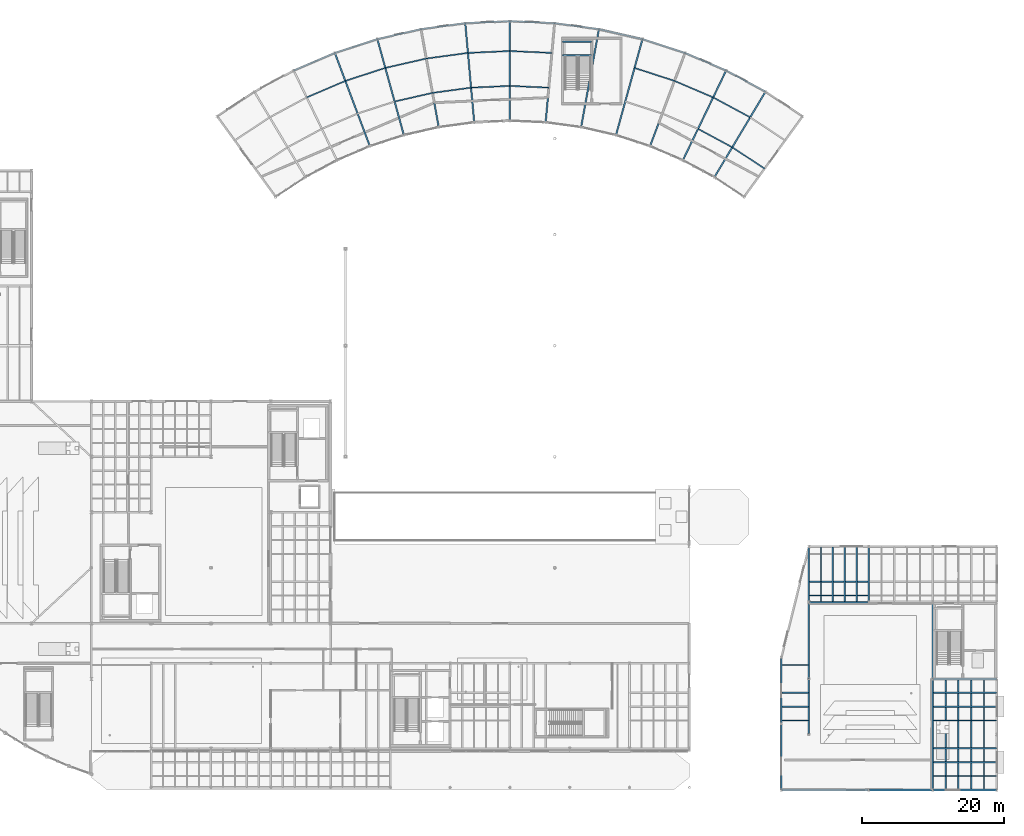
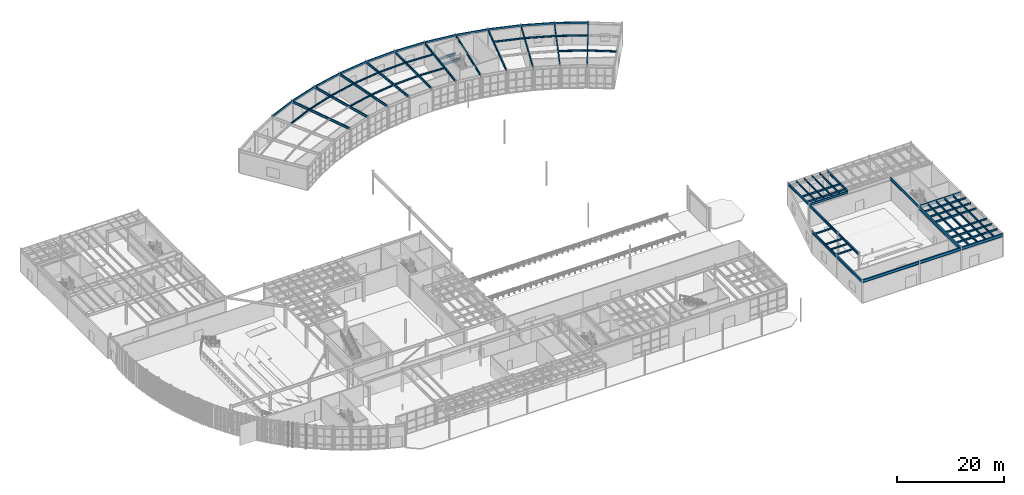
# One storey, part 52 of 87: 72 beams.
"""IFC4 building model written with IfcOpenShell, lengths in metres."""

from ifc_helpers import new_model, si_unit, direction, frame, origin, origin_2d, place, context, subcontext, project, spatial, hollow_rectangle, i_section, extrude, material, material_profile, profile_set, type_object, element, save


model = new_model("IFC4")

# Units and contexts
model_context = context("Model", 3, precision=1e-05, world=origin(), true_north=direction((0.0, 1.0)))
body_context = subcontext(model_context, "Body", "Model", "MODEL_VIEW")
ifc_project = project(units=[si_unit("LENGTHUNIT", "METRE"), si_unit("AREAUNIT", "SQUARE_METRE"), si_unit("VOLUMEUNIT", "CUBIC_METRE"), si_unit("PLANEANGLEUNIT", "RADIAN"), si_unit("MASSUNIT", "GRAM", prefix="KILO")], contexts=[model_context])

# Site, building, storey
site_placement = place(None, origin())
site = spatial("IfcSite", under=ifc_project, at=site_placement, CompositionType="ELEMENT")
building_placement = place(site_placement, origin())
building = spatial("IfcBuilding", under=site, at=building_placement, Name="Selat Folded Stagehouse", CompositionType="ELEMENT")
storey_placement = place(building_placement, origin())
storey = spatial("IfcBuildingStorey", under=building, at=storey_placement, Name="L00", CompositionType="ELEMENT", Elevation=0.0)

# Beams
ifc_material = material(Name="Steel S355", Category="steel")
ifc_material_profile_1 = material_profile(ifc_material, i_section(OverallWidth=0.210693359375, OverallDepth=0.53955078125, WebThickness=0.01171875, FlangeThickness=0.018798828125, FilletRadius=0.0126953125, at=origin_2d()), Name="UKB 533x210x109")
ifc_profile_set_1 = profile_set([ifc_material_profile_1], Name="Steel S355")
beam_type_1 = type_object("IfcBeamType", Name="BM-GIRD-533x210x109", PredefinedType="BEAM", material=ifc_profile_set_1)
beam_1_placement = place(storey_placement, frame((134.39990234375, 7.875, 4.91015625), z_axis=(0.0, 1.0, 0.0), x_axis=(-1.0, 0.0, 0.0)))
element("IfcBeam", 1, at=beam_1_placement, inside=storey, type_object=beam_type_1, Name="L00 primary y-girder 0587", PredefinedType="BEAM", context=body_context, shape_type="SweptSolid", body=[
    extrude(i_section(OverallWidth=0.210693359375, OverallDepth=0.53955078125, WebThickness=0.01171875, FlangeThickness=0.018798828125, FilletRadius=0.0126953125, at=origin_2d()), origin(), (0.0, 0.0, 1.0), 7.64990234375),
])
for number, where, z_axis, x_axis, name in (
    (2, (134.39990234375, 26.47998046875, 4.91015625), (0.0, 1.0, 0.0), (-1.0, 0.0, 0.0), "L00 primary y-girder 0589"),
    (3, (142.800048828125, 26.47998046875, 4.91015625), (0.0, 1.0, 0.0), (-1.0, 0.0, 0.0), "L00 primary y-girder 0590"),
):
    element("IfcBeam", number, at=place(storey_placement, frame(where, z_axis=z_axis, x_axis=x_axis)), inside=storey, type_object=beam_type_1, Name=name, PredefinedType="BEAM", context=body_context, shape_type="SweptSolid", body=[
        extrude(i_section(OverallWidth=0.210693359375, OverallDepth=0.53955078125, WebThickness=0.01171875, FlangeThickness=0.018798828125, FilletRadius=0.0126953125, at=origin_2d()), origin(), (0.0, 0.0, 1.0), 7.64013671875),
    ])
ifc_material_profile_2 = material_profile(ifc_material, i_section(OverallWidth=0.209228515625, OverallDepth=0.533203125, WebThickness=0.010009765625, FlangeThickness=0.015625, FilletRadius=0.0126953125, at=origin_2d()), Name="UKB 533x210x92")
ifc_profile_set_2 = profile_set([ifc_material_profile_2], Name="Steel S355")
beam_type_2 = type_object("IfcBeamType", Name="BM-GIRD-533x210x92", PredefinedType="BEAM", material=ifc_profile_set_2)
beam_2_placement = place(storey_placement, frame((134.47998046875, 26.39990234375, 4.91357421875), z_axis=(1.0, 0.0, 0.0), x_axis=(0.0, 1.0, 0.0)))
element("IfcBeam", 4, at=beam_2_placement, inside=storey, type_object=beam_type_2, Name="L00 primary x-girder 0526", PredefinedType="BEAM", context=body_context, shape_type="SweptSolid", body=[
    extrude(i_section(OverallWidth=0.209228515625, OverallDepth=0.533203125, WebThickness=0.010009765625, FlangeThickness=0.015625, FilletRadius=0.0126953125, at=origin_2d()), origin(), (0.0, 0.0, 1.0), 8.239990234375),
])
beam_3_placement = place(storey_placement, frame((72.722900390625, 90.42919921875, 4.91357421875), z_axis=(-0.35137378289, 0.936235261405, 0.0), x_axis=(-0.936235261405, -0.35137378289, 0.0)))
element("IfcBeam", 5, at=beam_3_placement, inside=storey, type_object=beam_type_2, Name="L00 curved rehearsal radial girder 4", PredefinedType="BEAM", context=body_context, shape_type="SweptSolid", body=[
    extrude(i_section(OverallWidth=0.209228515625, OverallDepth=0.533203125, WebThickness=0.010009765625, FlangeThickness=0.015625, FilletRadius=0.0126953125, at=origin_2d()), origin(), (0.0, 0.0, 1.0), 13.999755859375),
])
for number, where, z_axis, x_axis, name in (
    (6, (77.501953125, 91.98193359375, 4.91357421875), (-0.266045228685, 0.963960547063, 0.0), (-0.963960547063, -0.266045228685, 0.0), "L00 curved rehearsal radial girder 5"),
    (7, (82.40087890625, 93.10009765625, 4.91357421875), (-0.178572369459, 0.983926780236, 0.0), (-0.983926780236, -0.178572369459, 0.0), "L00 curved rehearsal radial girder 6"),
    (8, (87.380126953125, 93.774658203125, 4.91357421875), (-0.089634758742, 0.995974703507, 0.0), (-0.995974703507, -0.089634758742, 0.0), "L00 curved rehearsal radial girder 7"),
    (9, (92.39990234375, 94.0, 4.91357421875), (0.0, 1.0, 0.0), (-1.0, 0.0, 0.0), "L00 curved rehearsal radial girder 8"),
    (10, (97.419921875, 93.774658203125, 4.91357421875), (0.089634758742, 0.995974703507, 0.0), (-0.995974703507, 0.089634758742, 0.0), "L00 curved rehearsal radial girder 9"),
    (11, (102.399169921875, 93.10009765625, 4.91357421875), (0.178555486759, 0.983929844119, 0.0), (-0.983929844119, 0.178555486759, 0.0), "L00 curved rehearsal radial girder 10"),
    (12, (107.298095703125, 91.98193359375, 4.91357421875), (0.266045228685, 0.963960547063, 0.0), (-0.963960547063, 0.266045228685, 0.0), "L00 curved rehearsal radial girder 11"),
):
    element("IfcBeam", number, at=place(storey_placement, frame(where, z_axis=z_axis, x_axis=x_axis)), inside=storey, type_object=beam_type_2, Name=name, PredefinedType="BEAM", context=body_context, shape_type="SweptSolid", body=[
        extrude(i_section(OverallWidth=0.209228515625, OverallDepth=0.533203125, WebThickness=0.010009765625, FlangeThickness=0.015625, FilletRadius=0.0126953125, at=origin_2d()), origin(), (0.0, 0.0, 1.0), 14.0),
    ])
beam_4_placement = place(storey_placement, frame((112.076904296875, 90.42919921875, 4.91357421875), z_axis=(0.35137378289, 0.936235261405, 0.0), x_axis=(-0.936235261405, 0.35137378289, 0.0)))
element("IfcBeam", 13, at=beam_4_placement, inside=storey, type_object=beam_type_2, Name="L00 curved rehearsal radial girder 12", PredefinedType="BEAM", context=body_context, shape_type="SweptSolid", body=[
    extrude(i_section(OverallWidth=0.209228515625, OverallDepth=0.533203125, WebThickness=0.010009765625, FlangeThickness=0.015625, FilletRadius=0.0126953125, at=origin_2d()), origin(), (0.0, 0.0, 1.0), 13.999755859375),
])
for number, where, z_axis, x_axis, name in (
    (14, (116.697509765625, 88.454345703125, 4.91357421875), (0.433890071226, 0.900965818492, 0.0), (-0.900965818492, 0.433890071226, 0.0), "L00 curved rehearsal radial girder 13"),
    (15, (121.122314453125, 86.072998046875, 4.91357421875), (0.512902319154, 0.858446976234, 0.0), (-0.858446976234, 0.512902319154, 0.0), "L00 curved rehearsal radial girder 14"),
):
    element("IfcBeam", number, at=place(storey_placement, frame(where, z_axis=z_axis, x_axis=x_axis)), inside=storey, type_object=beam_type_2, Name=name, PredefinedType="BEAM", context=body_context, shape_type="SweptSolid", body=[
        extrude(i_section(OverallWidth=0.209228515625, OverallDepth=0.533203125, WebThickness=0.010009765625, FlangeThickness=0.015625, FilletRadius=0.0126953125, at=origin_2d()), origin(), (0.0, 0.0, 1.0), 14.0),
    ])
for number, where, z_axis, x_axis, name in (
    (16, (99.800048828125, 103.2099609375, 2.2333984375), (1.0, 0.0, 0.0), (0.0, 1.0, 0.0), "L00 ST-06 landing support beam 1"),
    (17, (99.800048828125, 105.080078125, 2.2333984375), (1.0, 0.0, 0.0), (0.0, 1.0, 0.0), "L00 ST-06 landing support beam 2"),
):
    element("IfcBeam", number, at=place(storey_placement, frame(where, z_axis=z_axis, x_axis=x_axis)), inside=storey, type_object=beam_type_2, Name=name, PredefinedType="BEAM", context=body_context, shape_type="SweptSolid", body=[
        extrude(i_section(OverallWidth=0.209228515625, OverallDepth=0.533203125, WebThickness=0.010009765625, FlangeThickness=0.015625, FilletRadius=0.0126953125, at=origin_2d()), origin(), (0.0, 0.0, 1.0), 4.079833984375),
    ])
ifc_material_profile_3 = material_profile(ifc_material, i_section(OverallWidth=0.230224609375, OverallDepth=0.6171875, WebThickness=0.01318359375, FlangeThickness=0.022216796875, FilletRadius=0.0126953125, at=origin_2d()), Name="UKB 610x229x140")
ifc_profile_set_3 = profile_set([ifc_material_profile_3], Name="Steel S355")
beam_type_3 = type_object("IfcBeamType", Name="BM-GIRD-610x229x140", PredefinedType="BEAM", material=ifc_profile_set_3)
beam_5_placement = place(storey_placement, frame((130.510009765625, 0.080078125, 4.871337890625), z_axis=(0.0, 1.0, 0.0), x_axis=(-1.0, 0.0, 0.0)))
element("IfcBeam", 18, at=beam_5_placement, inside=storey, type_object=beam_type_3, Name="L00 primary y-girder 0585", PredefinedType="BEAM", context=body_context, shape_type="SweptSolid", body=[
    extrude(i_section(OverallWidth=0.230224609375, OverallDepth=0.6171875, WebThickness=0.01318359375, FlangeThickness=0.022216796875, FilletRadius=0.0126953125, at=origin_2d()), origin(), (0.0, 0.0, 1.0), 9.139892578125),
])
beam_6_placement = place(storey_placement, frame((130.510009765625, 9.3798828125, 4.871337890625), z_axis=(0.0, 1.0, 0.0), x_axis=(-1.0, 0.0, 0.0)))
element("IfcBeam", 19, at=beam_6_placement, inside=storey, type_object=beam_type_3, Name="L00 primary y-girder 0586", PredefinedType="BEAM", context=body_context, shape_type="SweptSolid", body=[
    extrude(i_section(OverallWidth=0.230224609375, OverallDepth=0.6171875, WebThickness=0.01318359375, FlangeThickness=0.022216796875, FilletRadius=0.0126953125, at=origin_2d()), origin(), (0.0, 0.0, 1.0), 9.14013671875),
])
beam_7_placement = place(storey_placement, frame((134.39990234375, 15.675048828125, 4.871337890625), z_axis=(0.0, 1.0, 0.0), x_axis=(-1.0, 0.0, 0.0)))
element("IfcBeam", 20, at=beam_7_placement, inside=storey, type_object=beam_type_3, Name="L00 primary y-girder 0588", PredefinedType="BEAM", context=body_context, shape_type="SweptSolid", body=[
    extrude(i_section(OverallWidth=0.230224609375, OverallDepth=0.6171875, WebThickness=0.01318359375, FlangeThickness=0.022216796875, FilletRadius=0.0126953125, at=origin_2d()), origin(), (0.0, 0.0, 1.0), 10.64501953125),
])
beam_8_placement = place(storey_placement, frame((151.800048828125, 15.679931640625, 4.871337890625), z_axis=(0.0, 1.0, 0.0), x_axis=(-1.0, 0.0, 0.0)))
element("IfcBeam", 21, at=beam_8_placement, inside=storey, type_object=beam_type_3, Name="L00 primary y-girder 0592", PredefinedType="BEAM", context=body_context, shape_type="SweptSolid", body=[
    extrude(i_section(OverallWidth=0.230224609375, OverallDepth=0.6171875, WebThickness=0.01318359375, FlangeThickness=0.022216796875, FilletRadius=0.0126953125, at=origin_2d()), origin(), (0.0, 0.0, 1.0), 10.64013671875),
])
ifc_material_profile_4 = material_profile(ifc_material, i_section(OverallWidth=0.253662109375, OverallDepth=0.68359375, WebThickness=0.012451171875, FlangeThickness=0.01904296875, FilletRadius=0.01513671875, at=origin_2d()), Name="UKB 686x254x140")
ifc_profile_set_4 = profile_set([ifc_material_profile_4], Name="Steel S355")
beam_type_4 = type_object("IfcBeamType", Name="BM-GIRD-686x254x140", PredefinedType="BEAM", material=ifc_profile_set_4)
beam_9_placement = place(storey_placement, frame((130.590576171875, 0.0, 4.838134765625), z_axis=(1.0, 0.0, 0.0), x_axis=(0.0, 1.0, 0.0)))
element("IfcBeam", 22, at=beam_9_placement, inside=storey, type_object=beam_type_4, Name="L00 primary x-girder 0493", PredefinedType="BEAM", context=body_context, shape_type="SweptSolid", body=[
    extrude(i_section(OverallWidth=0.253662109375, OverallDepth=0.68359375, WebThickness=0.012451171875, FlangeThickness=0.01904296875, FilletRadius=0.01513671875, at=origin_2d()), origin(), (0.0, 0.0, 1.0), 12.12939453125),
])
for number, where, z_axis, x_axis, name in (
    (23, (142.8798828125, 0.0, 4.838134765625), (1.0, 0.0, 0.0), (0.0, 1.0, 0.0), "L00 primary x-girder 0494"),
    (24, (151.8798828125, 0.0, 4.838134765625), (1.0, 0.0, 0.0), (0.0, 1.0, 0.0), "L00 primary x-girder 0495"),
    (25, (151.8798828125, 15.60009765625, 4.838134765625), (1.0, 0.0, 0.0), (0.0, 1.0, 0.0), "L00 primary x-girder 0509"),
):
    element("IfcBeam", number, at=place(storey_placement, frame(where, z_axis=z_axis, x_axis=x_axis)), inside=storey, type_object=beam_type_4, Name=name, PredefinedType="BEAM", context=body_context, shape_type="SweptSolid", body=[
        extrude(i_section(OverallWidth=0.253662109375, OverallDepth=0.68359375, WebThickness=0.012451171875, FlangeThickness=0.01904296875, FilletRadius=0.01513671875, at=origin_2d()), origin(), (0.0, 0.0, 1.0), 8.840087890625),
    ])
ifc_material_profile_5 = material_profile(ifc_material, i_section(OverallWidth=0.26806640625, OverallDepth=0.769775390625, WebThickness=0.015625, FlangeThickness=0.025390625, FilletRadius=0.0166015625, at=origin_2d()), Name="UKB 762x267x197")
ifc_profile_set_5 = profile_set([ifc_material_profile_5], Name="Steel S355")
beam_type_5 = type_object("IfcBeamType", Name="BM-GIRD-762x267x197", PredefinedType="BEAM", material=ifc_profile_set_5)
beam_10_placement = place(storey_placement, frame((151.800048828125, 0.080078125, 4.795166015625), z_axis=(0.0, 1.0, 0.0), x_axis=(-1.0, 0.0, 0.0)))
element("IfcBeam", 26, at=beam_10_placement, inside=storey, type_object=beam_type_5, Name="L00 primary y-girder 0591", PredefinedType="BEAM", context=body_context, shape_type="SweptSolid", body=[
    extrude(i_section(OverallWidth=0.26806640625, OverallDepth=0.769775390625, WebThickness=0.015625, FlangeThickness=0.025390625, FilletRadius=0.0166015625, at=origin_2d()), origin(), (0.0, 0.0, 1.0), 15.43994140625),
])
ifc_material_profile_6 = material_profile(ifc_material, i_section(OverallWidth=0.17138671875, OverallDepth=0.35498046875, WebThickness=0.00732421875, FlangeThickness=0.011474609375, FilletRadius=0.01025390625, at=origin_2d()), Name="UKB 356x171x51")
ifc_profile_set_6 = profile_set([ifc_material_profile_6], Name="Steel S355")
beam_type_6 = type_object("IfcBeamType", Name="JST-356x171x51", PredefinedType="JOIST", material=ifc_profile_set_6)
for number, where, z_axis, x_axis, name in (
    (27, (136.080078125, 26.473388671875, 5.00244140625), (0.0, 1.0, 0.0), (-1.0, 0.0, 0.0), "L00 secondary floor joist 0683"),
    (28, (137.760009765625, 26.473388671875, 5.00244140625), (0.0, 1.0, 0.0), (-1.0, 0.0, 0.0), "L00 secondary floor joist 0684"),
    (29, (139.43994140625, 26.473388671875, 5.00244140625), (0.0, 1.0, 0.0), (-1.0, 0.0, 0.0), "L00 secondary floor joist 0685"),
):
    element("IfcBeam", number, at=place(storey_placement, frame(where, z_axis=z_axis, x_axis=x_axis)), inside=storey, type_object=beam_type_6, Name=name, PredefinedType="JOIST", context=body_context, shape_type="SweptSolid", body=[
        extrude(i_section(OverallWidth=0.17138671875, OverallDepth=0.35498046875, WebThickness=0.00732421875, FlangeThickness=0.011474609375, FilletRadius=0.01025390625, at=origin_2d()), origin(), (0.0, 0.0, 1.0), 7.6533203125),
    ])
for number, where, z_axis, x_axis, name in (
    (30, (130.590576171875, 9.75, 5.00244140625), (1.0, 0.0, 0.0), (0.0, 1.0, 0.0), "L00 secondary x-joist 0712"),
    (31, (130.590576171875, 11.699951171875, 5.00244140625), (1.0, 0.0, 0.0), (0.0, 1.0, 0.0), "L00 secondary x-joist 0716"),
    (32, (130.590576171875, 13.64990234375, 5.00244140625), (1.0, 0.0, 0.0), (0.0, 1.0, 0.0), "L00 secondary x-joist 0720"),
):
    element("IfcBeam", number, at=place(storey_placement, frame(where, z_axis=z_axis, x_axis=x_axis)), inside=storey, type_object=beam_type_6, Name=name, PredefinedType="JOIST", context=body_context, shape_type="SweptSolid", body=[
        extrude(i_section(OverallWidth=0.17138671875, OverallDepth=0.35498046875, WebThickness=0.00732421875, FlangeThickness=0.011474609375, FilletRadius=0.01025390625, at=origin_2d()), origin(), (0.0, 0.0, 1.0), 3.735595703125),
    ])
beam_11_placement = place(storey_placement, frame((130.590576171875, 17.550048828125, 5.00244140625), z_axis=(1.0, 0.0, 0.0), x_axis=(0.0, 1.0, 0.0)))
element("IfcBeam", 33, at=beam_11_placement, inside=storey, type_object=beam_type_6, Name="L00 secondary x-joist 0723", PredefinedType="JOIST", context=body_context, shape_type="SweptSolid", body=[
    extrude(i_section(OverallWidth=0.17138671875, OverallDepth=0.35498046875, WebThickness=0.00732421875, FlangeThickness=0.011474609375, FilletRadius=0.01025390625, at=origin_2d()), origin(), (0.0, 0.0, 1.0), 3.728759765625),
])
for number, where, z_axis, x_axis, name in (
    (34, (63.850341796875, 97.28369140625, 5.00244140625), (0.91952743413, 0.393025823429, 0.0), (-0.393025823429, 0.91952743413, 0.0), "L00 curved rehearsal secondary joist 3.2"),
    (35, (69.279541015625, 99.604248046875, 5.00244140625), (0.951058375783, 0.309011271401, 0.0), (-0.309011271401, 0.951058375783, 0.0), "L00 curved rehearsal secondary joist 4.2"),
):
    element("IfcBeam", number, at=place(storey_placement, frame(where, z_axis=z_axis, x_axis=x_axis)), inside=storey, type_object=beam_type_6, Name=name, PredefinedType="JOIST", context=body_context, shape_type="SweptSolid", body=[
        extrude(i_section(OverallWidth=0.17138671875, OverallDepth=0.35498046875, WebThickness=0.00732421875, FlangeThickness=0.011474609375, FilletRadius=0.01025390625, at=origin_2d()), origin(), (0.0, 0.0, 1.0), 5.904296875),
    ])
beam_12_placement = place(storey_placement, frame((76.1982421875, 96.705322265625, 5.00244140625), z_axis=(0.974925286492, 0.222532437541, 0.0), x_axis=(-0.222532437541, 0.974925286492, 0.0)))
element("IfcBeam", 36, at=beam_12_placement, inside=storey, type_object=beam_type_6, Name="L00 curved rehearsal secondary joist 5.1", PredefinedType="JOIST", context=body_context, shape_type="SweptSolid", body=[
    extrude(i_section(OverallWidth=0.17138671875, OverallDepth=0.35498046875, WebThickness=0.00732421875, FlangeThickness=0.011474609375, FilletRadius=0.01025390625, at=origin_2d()), origin(), (0.0, 0.0, 1.0), 5.464599609375),
])
beam_13_placement = place(storey_placement, frame((74.894775390625, 101.4287109375, 5.00244140625), z_axis=(0.974921599993, 0.222548587656, 0.0), x_axis=(-0.222548587656, 0.974921599993, 0.0)))
element("IfcBeam", 37, at=beam_13_placement, inside=storey, type_object=beam_type_6, Name="L00 curved rehearsal secondary joist 5.2", PredefinedType="JOIST", context=body_context, shape_type="SweptSolid", body=[
    extrude(i_section(OverallWidth=0.17138671875, OverallDepth=0.35498046875, WebThickness=0.00732421875, FlangeThickness=0.011474609375, FilletRadius=0.01025390625, at=origin_2d()), origin(), (0.0, 0.0, 1.0), 5.904052734375),
])
beam_14_placement = place(storey_placement, frame((81.52587890625, 97.92138671875, 5.00244140625), z_axis=(0.990952644722, 0.134211981278, 0.0), x_axis=(-0.134211981278, 0.990952644722, 0.0)))
element("IfcBeam", 38, at=beam_14_placement, inside=storey, type_object=beam_type_6, Name="L00 curved rehearsal secondary joist 6.1", PredefinedType="JOIST", context=body_context, shape_type="SweptSolid", body=[
    extrude(i_section(OverallWidth=0.17138671875, OverallDepth=0.35498046875, WebThickness=0.00732421875, FlangeThickness=0.011474609375, FilletRadius=0.01025390625, at=origin_2d()), origin(), (0.0, 0.0, 1.0), 5.464599609375),
])
beam_15_placement = place(storey_placement, frame((80.65087890625, 102.74267578125, 5.00244140625), z_axis=(0.990951300804, 0.13422190371, 0.0), x_axis=(-0.13422190371, 0.990951300804, 0.0)))
element("IfcBeam", 39, at=beam_15_placement, inside=storey, type_object=beam_type_6, Name="L00 curved rehearsal secondary joist 6.2", PredefinedType="JOIST", context=body_context, shape_type="SweptSolid", body=[
    extrude(i_section(OverallWidth=0.17138671875, OverallDepth=0.35498046875, WebThickness=0.00732421875, FlangeThickness=0.011474609375, FilletRadius=0.01025390625, at=origin_2d()), origin(), (0.0, 0.0, 1.0), 5.904296875),
])
beam_16_placement = place(storey_placement, frame((86.94091796875, 98.65478515625, 5.00244140625), z_axis=(0.998993444482, 0.044856414055, 0.0), x_axis=(-0.044856414055, 0.998993444482, 0.0)))
element("IfcBeam", 40, at=beam_16_placement, inside=storey, type_object=beam_type_6, Name="L00 curved rehearsal secondary joist 7.1", PredefinedType="JOIST", context=body_context, shape_type="SweptSolid", body=[
    extrude(i_section(OverallWidth=0.17138671875, OverallDepth=0.35498046875, WebThickness=0.00732421875, FlangeThickness=0.011474609375, FilletRadius=0.01025390625, at=origin_2d()), origin(), (0.0, 0.0, 1.0), 5.464599609375),
])
beam_17_placement = place(storey_placement, frame((86.501708984375, 103.53515625, 5.00244140625), z_axis=(0.998993033072, 0.044865575598, 0.0), x_axis=(-0.044865575598, 0.998993033072, 0.0)))
element("IfcBeam", 41, at=beam_17_placement, inside=storey, type_object=beam_type_6, Name="L00 curved rehearsal secondary joist 7.2", PredefinedType="JOIST", context=body_context, shape_type="SweptSolid", body=[
    extrude(i_section(OverallWidth=0.17138671875, OverallDepth=0.35498046875, WebThickness=0.00732421875, FlangeThickness=0.011474609375, FilletRadius=0.01025390625, at=origin_2d()), origin(), (0.0, 0.0, 1.0), 5.904052734375),
])
beam_18_placement = place(storey_placement, frame((92.39990234375, 98.89990234375, 5.00244140625), z_axis=(0.998993444482, -0.044856414055, 0.0), x_axis=(0.044856414055, 0.998993444482, 0.0)))
element("IfcBeam", 42, at=beam_18_placement, inside=storey, type_object=beam_type_6, Name="L00 curved rehearsal secondary joist 8.1", PredefinedType="JOIST", context=body_context, shape_type="SweptSolid", body=[
    extrude(i_section(OverallWidth=0.17138671875, OverallDepth=0.35498046875, WebThickness=0.00732421875, FlangeThickness=0.011474609375, FilletRadius=0.01025390625, at=origin_2d()), origin(), (0.0, 0.0, 1.0), 5.464599609375),
])
for number, where, z_axis, x_axis, name in (
    (43, (92.39990234375, 103.800048828125, 5.00244140625), (0.998993116303, -0.044863722317, 0.0), (0.044863722317, 0.998993116303, 0.0), "L00 curved rehearsal secondary joist 8.2"),
    (44, (109.9052734375, 101.4287109375, 5.00244140625), (0.951058375783, -0.309011271401, 0.0), (0.309011271401, 0.951058375783, 0.0), "L00 curved rehearsal secondary joist 11.2"),
    (45, (115.5205078125, 99.604248046875, 5.00244140625), (0.91952743413, -0.393025823429, 0.0), (0.393025823429, 0.91952743413, 0.0), "L00 curved rehearsal secondary joist 12.2"),
):
    element("IfcBeam", number, at=place(storey_placement, frame(where, z_axis=z_axis, x_axis=x_axis)), inside=storey, type_object=beam_type_6, Name=name, PredefinedType="JOIST", context=body_context, shape_type="SweptSolid", body=[
        extrude(i_section(OverallWidth=0.17138671875, OverallDepth=0.35498046875, WebThickness=0.00732421875, FlangeThickness=0.011474609375, FilletRadius=0.01025390625, at=origin_2d()), origin(), (0.0, 0.0, 1.0), 5.904296875),
    ])
beam_19_placement = place(storey_placement, frame((118.823486328125, 92.868896484375, 5.00244140625), z_axis=(0.880603050305, -0.47385469059, 0.0), x_axis=(0.47385469059, 0.880603050305, 0.0)))
element("IfcBeam", 46, at=beam_19_placement, inside=storey, type_object=beam_type_6, Name="L00 curved rehearsal secondary joist 13.1", PredefinedType="JOIST", context=body_context, shape_type="SweptSolid", body=[
    extrude(i_section(OverallWidth=0.17138671875, OverallDepth=0.35498046875, WebThickness=0.00732421875, FlangeThickness=0.011474609375, FilletRadius=0.01025390625, at=origin_2d()), origin(), (0.0, 0.0, 1.0), 5.46435546875),
])
beam_20_placement = place(storey_placement, frame((120.94970703125, 97.28369140625, 5.00244140625), z_axis=(0.880583938492, -0.473890205923, 0.0), x_axis=(0.473890205923, 0.880583938492, 0.0)))
element("IfcBeam", 47, at=beam_20_placement, inside=storey, type_object=beam_type_6, Name="L00 curved rehearsal secondary joist 13.2", PredefinedType="JOIST", context=body_context, shape_type="SweptSolid", body=[
    extrude(i_section(OverallWidth=0.17138671875, OverallDepth=0.35498046875, WebThickness=0.00732421875, FlangeThickness=0.011474609375, FilletRadius=0.01025390625, at=origin_2d()), origin(), (0.0, 0.0, 1.0), 5.904052734375),
])
beam_21_placement = place(storey_placement, frame((123.635498046875, 90.279541015625, 5.00244140625), z_axis=(0.834584757521, -0.550879553545, 0.0), x_axis=(0.550879553545, 0.834584757521, 0.0)))
element("IfcBeam", 48, at=beam_21_placement, inside=storey, type_object=beam_type_6, Name="L00 curved rehearsal secondary joist 14.1", PredefinedType="JOIST", context=body_context, shape_type="SweptSolid", body=[
    extrude(i_section(OverallWidth=0.17138671875, OverallDepth=0.35498046875, WebThickness=0.00732421875, FlangeThickness=0.011474609375, FilletRadius=0.01025390625, at=origin_2d()), origin(), (0.0, 0.0, 1.0), 5.46435546875),
])
ifc_material_profile_7 = material_profile(ifc_material, i_section(OverallWidth=0.177978515625, OverallDepth=0.406494140625, WebThickness=0.0078125, FlangeThickness=0.0126953125, FilletRadius=0.01025390625, at=origin_2d()), Name="UKB 406x178x60")
ifc_profile_set_7 = profile_set([ifc_material_profile_7], Name="Steel S355")
beam_type_7 = type_object("IfcBeamType", Name="JST-406x178x60", PredefinedType="JOIST", material=ifc_profile_set_7)
beam_22_placement = place(storey_placement, frame((141.1201171875, 26.473388671875, 4.976806640625), z_axis=(0.0, 1.0, 0.0), x_axis=(-1.0, 0.0, 0.0)))
element("IfcBeam", 49, at=beam_22_placement, inside=storey, type_object=beam_type_7, Name="L00 secondary floor joist 0686", PredefinedType="JOIST", context=body_context, shape_type="SweptSolid", body=[
    extrude(i_section(OverallWidth=0.177978515625, OverallDepth=0.406494140625, WebThickness=0.0078125, FlangeThickness=0.0126953125, FilletRadius=0.01025390625, at=origin_2d()), origin(), (0.0, 0.0, 1.0), 7.6533203125),
])
for number, where, z_axis, x_axis, name in (
    (50, (151.893798828125, 1.949951171875, 4.976806640625), (1.0, 0.0, 0.0), (0.0, 1.0, 0.0), "L00 secondary x-joist 0703"),
    (51, (151.893798828125, 3.89990234375, 4.976806640625), (1.0, 0.0, 0.0), (0.0, 1.0, 0.0), "L00 secondary x-joist 0708"),
    (52, (151.893798828125, 5.85009765625, 4.976806640625), (1.0, 0.0, 0.0), (0.0, 1.0, 0.0), "L00 secondary x-joist 0709"),
    (53, (151.893798828125, 9.75, 4.976806640625), (1.0, 0.0, 0.0), (0.0, 1.0, 0.0), "L00 secondary x-joist 0713"),
    (54, (151.893798828125, 11.699951171875, 4.976806640625), (1.0, 0.0, 0.0), (0.0, 1.0, 0.0), "L00 secondary x-joist 0717"),
    (55, (151.893798828125, 13.64990234375, 4.976806640625), (1.0, 0.0, 0.0), (0.0, 1.0, 0.0), "L00 secondary x-joist 0721"),
):
    element("IfcBeam", number, at=place(storey_placement, frame(where, z_axis=z_axis, x_axis=x_axis)), inside=storey, type_object=beam_type_7, Name=name, PredefinedType="JOIST", context=body_context, shape_type="SweptSolid", body=[
        extrude(i_section(OverallWidth=0.177978515625, OverallDepth=0.406494140625, WebThickness=0.0078125, FlangeThickness=0.0126953125, FilletRadius=0.01025390625, at=origin_2d()), origin(), (0.0, 0.0, 1.0), 8.83251953125),
    ])
for number, where, z_axis, x_axis, name in (
    (56, (134.473876953125, 27.300048828125, 4.976806640625), (1.0, 0.0, 0.0), (0.0, 1.0, 0.0), "L00 secondary x-joist 0726"),
    (57, (134.473876953125, 29.25, 4.976806640625), (1.0, 0.0, 0.0), (0.0, 1.0, 0.0), "L00 secondary x-joist 0730"),
):
    element("IfcBeam", number, at=place(storey_placement, frame(where, z_axis=z_axis, x_axis=x_axis)), inside=storey, type_object=beam_type_7, Name=name, PredefinedType="JOIST", context=body_context, shape_type="SweptSolid", body=[
        extrude(i_section(OverallWidth=0.177978515625, OverallDepth=0.406494140625, WebThickness=0.0078125, FlangeThickness=0.0126953125, FilletRadius=0.01025390625, at=origin_2d()), origin(), (0.0, 0.0, 1.0), 8.25244140625),
    ])
ifc_material_profile_8 = material_profile(ifc_material, i_section(OverallWidth=0.18994140625, OverallDepth=0.453369140625, WebThickness=0.008544921875, FlangeThickness=0.0126953125, FilletRadius=0.01025390625, at=origin_2d()), Name="UKB 457x191x67")
ifc_profile_set_8 = profile_set([ifc_material_profile_8], Name="Steel S355")
beam_type_8 = type_object("IfcBeamType", Name="JST-457x191x67", PredefinedType="JOIST", material=ifc_profile_set_8)
for number, where, z_axis, x_axis, name in (
    (58, (153.60009765625, 0.0888671875, 4.953369140625), (0.0, 1.0, 0.0), (-1.0, 0.0, 0.0), "L00 secondary floor joist 0691"),
    (59, (155.39990234375, 0.0888671875, 4.953369140625), (0.0, 1.0, 0.0), (-1.0, 0.0, 0.0), "L00 secondary floor joist 0693"),
    (60, (157.199951171875, 0.0888671875, 4.953369140625), (0.0, 1.0, 0.0), (-1.0, 0.0, 0.0), "L00 secondary floor joist 0695"),
    (61, (159.0, 0.0888671875, 4.953369140625), (0.0, 1.0, 0.0), (-1.0, 0.0, 0.0), "L00 secondary floor joist 0697"),
):
    element("IfcBeam", number, at=place(storey_placement, frame(where, z_axis=z_axis, x_axis=x_axis)), inside=storey, type_object=beam_type_8, Name=name, PredefinedType="JOIST", context=body_context, shape_type="SweptSolid", body=[
        extrude(i_section(OverallWidth=0.18994140625, OverallDepth=0.453369140625, WebThickness=0.008544921875, FlangeThickness=0.0126953125, FilletRadius=0.01025390625, at=origin_2d()), origin(), (0.0, 0.0, 1.0), 15.42236328125),
    ])
ifc_material_profile_9 = material_profile(ifc_material, hollow_rectangle(XDim=0.199951171875, YDim=0.39990234375, WallThickness=0.012451171875, at=origin_2d()), Name="RHS 400x200x12.5")
ifc_profile_set_9 = profile_set([ifc_material_profile_9], Name="Steel S355")
beam_type_9 = type_object("IfcBeamType", Name="SPD-EXT-400x200", PredefinedType="SPANDREL", material=ifc_profile_set_9)
for number, where, z_axis, x_axis, name in (
    (62, (62.028076171875, 101.06787109375, 4.97998046875), (0.919534614305, 0.393009024189, 0.0), (-0.393009024189, 0.919534614305, 0.0), "L00 outer curved rehearsal spandrel 3"),
    (63, (67.8037109375, 103.536376953125, 4.97998046875), (0.951058059905, 0.309012243593, 0.0), (-0.309012243593, 0.951058059905, 0.0), "L00 outer curved rehearsal spandrel 4"),
    (64, (73.77734375, 105.477294921875, 4.97998046875), (0.974926249486, 0.222528218575, 0.0), (-0.222528218575, 0.974926249486, 0.0), "L00 outer curved rehearsal spandrel 5"),
):
    element("IfcBeam", number, at=place(storey_placement, frame(where, z_axis=z_axis, x_axis=x_axis)), inside=storey, type_object=beam_type_9, Name=name, PredefinedType="SPANDREL", context=body_context, shape_type="SweptSolid", body=[
        extrude(hollow_rectangle(XDim=0.199951171875, YDim=0.39990234375, WallThickness=0.012451171875, at=origin_2d()), origin(), (0.0, 0.0, 1.0), 6.281005859375),
    ])
beam_23_placement = place(storey_placement, frame((79.90087890625, 106.875, 4.97998046875), z_axis=(0.990947344037, 0.134251113014, 0.0), x_axis=(-0.134251113014, 0.990947344037, 0.0)))
element("IfcBeam", 65, at=beam_23_placement, inside=storey, type_object=beam_type_9, Name="L00 outer curved rehearsal spandrel 6", PredefinedType="SPANDREL", context=body_context, shape_type="SweptSolid", body=[
    extrude(hollow_rectangle(XDim=0.199951171875, YDim=0.39990234375, WallThickness=0.012451171875, at=origin_2d()), origin(), (0.0, 0.0, 1.0), 6.28125),
])
beam_24_placement = place(storey_placement, frame((86.125244140625, 107.71826171875, 4.97998046875), z_axis=(0.998993472837, 0.044855782563, 0.0), x_axis=(-0.044855782563, 0.998993472837, 0.0)))
element("IfcBeam", 66, at=beam_24_placement, inside=storey, type_object=beam_type_9, Name="L00 outer curved rehearsal spandrel 7", PredefinedType="SPANDREL", context=body_context, shape_type="SweptSolid", body=[
    extrude(hollow_rectangle(XDim=0.199951171875, YDim=0.39990234375, WallThickness=0.012451171875, at=origin_2d()), origin(), (0.0, 0.0, 1.0), 6.281005859375),
])
beam_25_placement = place(storey_placement, frame((92.39990234375, 108.0, 4.97998046875), z_axis=(0.99899355104, -0.044854040849, 0.0), x_axis=(0.044854040849, 0.99899355104, 0.0)))
element("IfcBeam", 67, at=beam_25_placement, inside=storey, type_object=beam_type_9, Name="L00 outer curved rehearsal spandrel 8", PredefinedType="SPANDREL", context=body_context, shape_type="SweptSolid", body=[
    extrude(hollow_rectangle(XDim=0.199951171875, YDim=0.39990234375, WallThickness=0.012451171875, at=origin_2d()), origin(), (0.0, 0.0, 1.0), 6.28125),
])
beam_26_placement = place(storey_placement, frame((98.6748046875, 107.71826171875, 4.97998046875), z_axis=(0.990946643459, -0.134256284087, 0.0), x_axis=(0.134256284087, 0.990946643459, 0.0)))
element("IfcBeam", 68, at=beam_26_placement, inside=storey, type_object=beam_type_9, Name="L00 outer curved rehearsal spandrel 9", PredefinedType="SPANDREL", context=body_context, shape_type="SweptSolid", body=[
    extrude(hollow_rectangle(XDim=0.199951171875, YDim=0.39990234375, WallThickness=0.012451171875, at=origin_2d()), origin(), (0.0, 0.0, 1.0), 6.281005859375),
])
beam_27_placement = place(storey_placement, frame((104.89892578125, 106.875, 4.97998046875), z_axis=(0.974928174151, -0.22251978619, 0.0), x_axis=(0.22251978619, 0.974928174151, 0.0)))
element("IfcBeam", 69, at=beam_27_placement, inside=storey, type_object=beam_type_9, Name="L00 outer curved rehearsal spandrel 10", PredefinedType="SPANDREL", context=body_context, shape_type="SweptSolid", body=[
    extrude(hollow_rectangle(XDim=0.199951171875, YDim=0.39990234375, WallThickness=0.012451171875, at=origin_2d()), origin(), (0.0, 0.0, 1.0), 6.28125),
])
beam_28_placement = place(storey_placement, frame((111.022705078125, 105.477294921875, 4.97998046875), z_axis=(0.951054348109, -0.309023667285, 0.0), x_axis=(0.309023667285, 0.951054348109, 0.0)))
element("IfcBeam", 70, at=beam_28_placement, inside=storey, type_object=beam_type_9, Name="L00 outer curved rehearsal spandrel 11", PredefinedType="SPANDREL", context=body_context, shape_type="SweptSolid", body=[
    extrude(hollow_rectangle(XDim=0.199951171875, YDim=0.39990234375, WallThickness=0.012451171875, at=origin_2d()), origin(), (0.0, 0.0, 1.0), 6.28076171875),
])
beam_29_placement = place(storey_placement, frame((116.99609375, 103.536376953125, 4.97998046875), z_axis=(0.919540617607, -0.392994977793, 0.0), x_axis=(0.392994977793, 0.919540617607, 0.0)))
element("IfcBeam", 71, at=beam_29_placement, inside=storey, type_object=beam_type_9, Name="L00 outer curved rehearsal spandrel 12", PredefinedType="SPANDREL", context=body_context, shape_type="SweptSolid", body=[
    extrude(hollow_rectangle(XDim=0.199951171875, YDim=0.39990234375, WallThickness=0.012451171875, at=origin_2d()), origin(), (0.0, 0.0, 1.0), 6.28125),
])
beam_30_placement = place(storey_placement, frame((122.77197265625, 101.06787109375, 4.97998046875), z_axis=(0.880582156138, -0.473893517883, 0.0), x_axis=(0.473893517883, 0.880582156138, 0.0)))
element("IfcBeam", 72, at=beam_30_placement, inside=storey, type_object=beam_type_9, Name="L00 outer curved rehearsal spandrel 13", PredefinedType="SPANDREL", context=body_context, shape_type="SweptSolid", body=[
    extrude(hollow_rectangle(XDim=0.199951171875, YDim=0.39990234375, WallThickness=0.012451171875, at=origin_2d()), origin(), (0.0, 0.0, 1.0), 6.281005859375),
])

save(model, "model.ifc")
